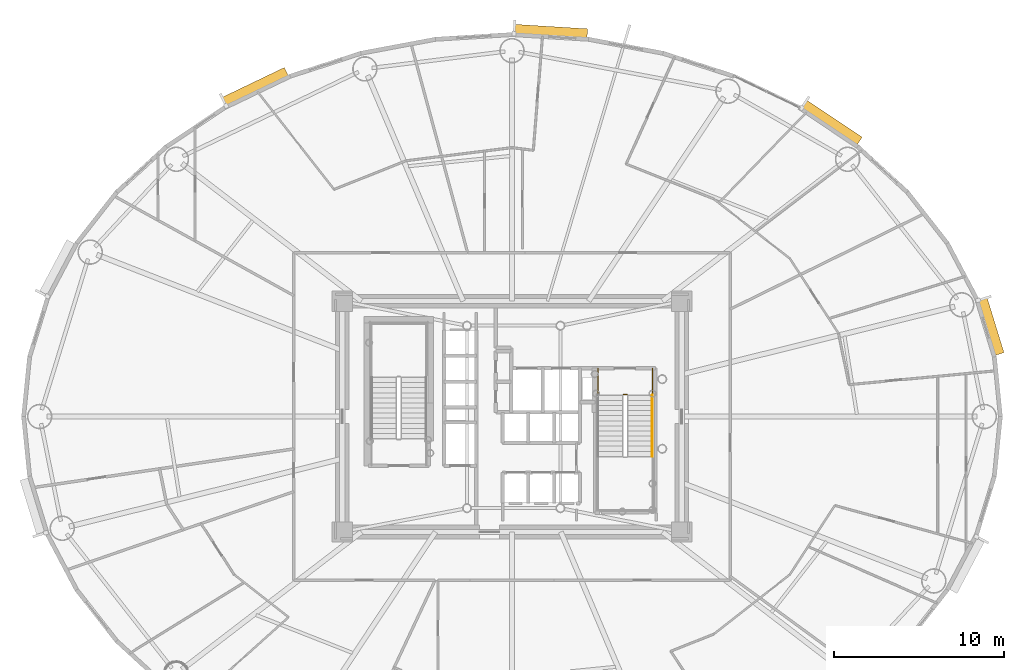
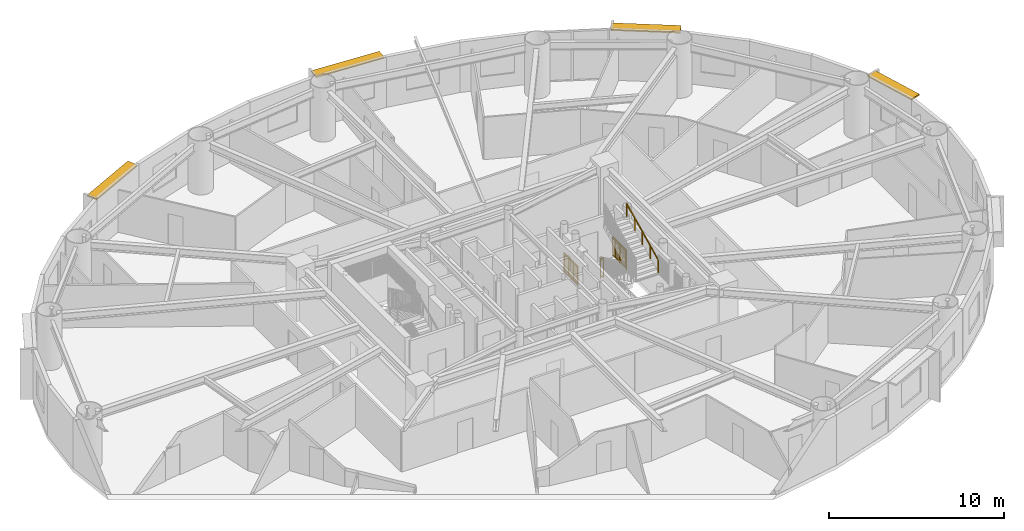
# One storey, part 16 of 16: 4 railings, 4 shading devices.
"""IFC4 building model written with IfcOpenShell, lengths in metres."""

from ifc_helpers import new_model, si_unit, direction, frame, origin, origin_2d, place, context, subcontext, project, spatial, rectangle, extrude, source, transform, mapped, material, layer, layer_set, type_object, element, save


model = new_model("IFC4")

# Units and contexts
model_context = context("Model", 3, precision=1e-05, world=origin(), true_north=direction((0.0, 1.0)))
body_context = subcontext(model_context, "Body", "Model", "MODEL_VIEW")
ifc_project = project(units=[si_unit("LENGTHUNIT", "METRE"), si_unit("AREAUNIT", "SQUARE_METRE"), si_unit("VOLUMEUNIT", "CUBIC_METRE"), si_unit("PLANEANGLEUNIT", "RADIAN"), si_unit("MASSUNIT", "GRAM", prefix="KILO")], contexts=[model_context])

# Site, building, storey
site_placement = place(None, origin())
site = spatial("IfcSite", under=ifc_project, at=site_placement, CompositionType="ELEMENT")
building_placement = place(site_placement, origin())
building = spatial("IfcBuilding", under=site, at=building_placement, Name="Linh Dai School and Residence Tower", CompositionType="ELEMENT")
storey_placement = place(building_placement, frame((0.0, 0.0, 138.449951171875)))
storey = spatial("IfcBuildingStorey", under=building, at=storey_placement, Name="L33", CompositionType="ELEMENT", Elevation=138.449951171875)

# Shading devices
ifc_material_1 = material(Name="Terracotta Ceramic Sunshade", Category="masonry")
ifc_layer = layer(ifc_material_1, 0.10009765625)
ifc_layer_set = layer_set([ifc_layer], Name="Terracotta Ceramic Sunshade")
shading_device_type = type_object("IfcShadingDeviceType", Name="SHD-TC-650", PredefinedType="USERDEFINED", material=ifc_layer_set)
shared_shape_1 = source(origin(), body_context, "Body", "SweptSolid", [
    extrude(rectangle(XDim=3.44384765625, YDim=0.64990234375, at=origin_2d()), origin(), (0.0, 0.0, 1.0), 0.10009765625),
])
shading_device_1_placement = place(storey_placement, frame((64.16845703125, 32.313720703125, 3.3798828125), z_axis=(0.0, 0.0, 1.0), x_axis=(0.293133528962, -0.956071511028, 0.0)))
element("IfcShadingDevice", 1, at=shading_device_1_placement, inside=storey, type_object=shading_device_type, Name="L33 Terracotta Horizontal Sunshade Band 02", ObjectType="SUNSHADE", PredefinedType="USERDEFINED", context=body_context, shape_type="MappedRepresentation", body=[
    mapped(shared_shape_1, transform((0.0, 0.0, 0.0), x_axis=(1.0, 0.0, 0.0), y_axis=(0.0, 1.0, 0.0), z_axis=(0.0, 0.0, 1.0), scale=1.0)),
])
shared_shape_2 = source(origin(), body_context, "Body", "SweptSolid", [
    extrude(rectangle(XDim=3.96484375, YDim=0.64990234375, at=origin_2d()), origin(), (0.0, 0.0, 1.0), 0.10009765625),
])
shading_device_2_placement = place(storey_placement, frame((54.80029296875, 44.288330078125, 3.3798828125), z_axis=(0.0, 0.0, 1.0), x_axis=(0.831240347736, -0.555913198527, 0.0)))
element("IfcShadingDevice", 2, at=shading_device_2_placement, inside=storey, type_object=shading_device_type, Name="L33 Terracotta Horizontal Sunshade Band 06", ObjectType="SUNSHADE", PredefinedType="USERDEFINED", context=body_context, shape_type="MappedRepresentation", body=[
    mapped(shared_shape_2, transform((0.0, 0.0, 0.0), x_axis=(1.0, 0.0, 0.0), y_axis=(0.0, 1.0, 0.0), z_axis=(0.0, 0.0, 1.0), scale=1.0)),
])
shared_shape_3 = source(origin(), body_context, "Body", "SweptSolid", [
    extrude(rectangle(XDim=4.33349609375, YDim=0.64990234375, at=origin_2d()), origin(), (0.0, 0.0, 1.0), 0.10009765625),
])
shading_device_3_placement = place(storey_placement, frame((38.270263671875, 49.650634765625, 3.3798828125), z_axis=(0.0, 0.0, 1.0), x_axis=(0.998106513123, -0.061509255091, 0.0)))
element("IfcShadingDevice", 3, at=shading_device_3_placement, inside=storey, type_object=shading_device_type, Name="L33 Terracotta Horizontal Sunshade Band 10", ObjectType="SUNSHADE", PredefinedType="USERDEFINED", context=body_context, shape_type="MappedRepresentation", body=[
    mapped(shared_shape_3, transform((0.0, 0.0, 0.0), x_axis=(1.0, 0.0, 0.0), y_axis=(0.0, 1.0, 0.0), z_axis=(0.0, 0.0, 1.0), scale=1.0)),
])
shared_shape_4 = source(origin(), body_context, "Body", "SweptSolid", [
    extrude(rectangle(XDim=4.1005859375, YDim=0.64990234375, at=origin_2d()), origin(), (0.0, 0.0, 1.0), 0.10009765625),
])
shading_device_4_placement = place(storey_placement, frame((20.877197265625, 46.38037109375, 3.3798828125), z_axis=(0.0, 0.0, 1.0), x_axis=(0.901577518371, 0.432617589064, 0.0)))
element("IfcShadingDevice", 4, at=shading_device_4_placement, inside=storey, type_object=shading_device_type, Name="L33 Terracotta Horizontal Sunshade Band 14", ObjectType="SUNSHADE", PredefinedType="USERDEFINED", context=body_context, shape_type="MappedRepresentation", body=[
    mapped(shared_shape_4, transform((0.0, 0.0, 0.0), x_axis=(1.0, 0.0, 0.0), y_axis=(0.0, 1.0, 0.0), z_axis=(0.0, 0.0, 1.0), scale=1.0)),
])

# Railings
ifc_material_2 = material(Name="Brushed Stainless Steel Handrail", Category="steel")
railing_type_1 = type_object("IfcRailingType", Name="RL-ST-HANDRAIL-900", PredefinedType="HANDRAIL", material=ifc_material_2)
shared_shape_5 = source(origin(), body_context, "Body", "SweptSolid", [
    extrude(rectangle(XDim=0.048095703125, YDim=0.048095703125, at=origin_2d()), frame((0.0, 0.0, 0.8759765625), z_axis=(0.0, 0.901262522062, 0.433273431364), x_axis=(-1.0, 0.0, 0.0)), (0.0, 0.0, 1.0), 3.994384765625),
    extrude(rectangle(XDim=0.0419921875, YDim=0.0419921875, at=origin_2d()), origin(), (0.0, 0.0, 1.0), 0.8759765625),
    extrude(rectangle(XDim=0.0419921875, YDim=0.0419921875, at=origin_2d()), frame((0.0, 0.89990234375, 0.4326171875)), (0.0, 0.0, 1.0), 0.8759765625),
    extrude(rectangle(XDim=0.0419921875, YDim=0.0419921875, at=origin_2d()), frame((0.0, 1.800048828125, 0.865234375)), (0.0, 0.0, 1.0), 0.8759765625),
    extrude(rectangle(XDim=0.0419921875, YDim=0.0419921875, at=origin_2d()), frame((0.0, 2.7001953125, 1.298095703125)), (0.0, 0.0, 1.0), 0.8759765625),
    extrude(rectangle(XDim=0.0419921875, YDim=0.0419921875, at=origin_2d()), frame((0.0, 3.60009765625, 1.730712890625)), (0.0, 0.0, 1.0), 0.8759765625),
])
railing_1_placement = place(storey_placement, frame((44.27001953125, 24.64990234375, 2.019287109375)))
element("IfcRailing", 5, at=railing_1_placement, inside=storey, type_object=railing_type_1, Name="L33 ST2 stair handrail 2", PredefinedType="HANDRAIL", context=body_context, shape_type="MappedRepresentation", body=[
    mapped(shared_shape_5, transform((0.0, 0.0, 0.0), x_axis=(1.0, 0.0, 0.0), y_axis=(0.0, 1.0, 0.0), z_axis=(0.0, 0.0, 1.0), scale=1.0)),
])
ifc_material_3 = material(Name="Structural Steel S355JR", Category="steel")
railing_type_2 = type_object("IfcRailingType", Name="RL-ST-GUARD-1400", PredefinedType="GUARDRAIL", material=ifc_material_3)
shared_shape_6 = source(origin(), body_context, "Body", "SweptSolid", [
    extrude(rectangle(XDim=0.048095703125, YDim=0.048095703125, at=origin_2d()), frame((0.0, 0.0, 1.3759765625), z_axis=(1.0, 0.0, 0.0), x_axis=(0.0, 1.0, 0.0)), (0.0, 0.0, 1.0), 0.199951171875),
    extrude(rectangle(XDim=0.048095703125, YDim=0.048095703125, at=origin_2d()), frame((0.0, 0.0, 0.10009765625), z_axis=(1.0, 0.0, 0.0), x_axis=(0.0, 1.0, 0.0)), (0.0, 0.0, 1.0), 0.199951171875),
    extrude(rectangle(XDim=0.030029296875, YDim=0.030029296875, at=origin_2d()), frame((0.0, 0.0, 1.239990234375), z_axis=(1.0, 0.0, 0.0), x_axis=(0.0, 1.0, 0.0)), (0.0, 0.0, 1.0), 0.199951171875),
    extrude(rectangle(XDim=0.0419921875, YDim=0.0419921875, at=origin_2d()), origin(), (0.0, 0.0, 1.0), 1.3759765625),
    extrude(rectangle(XDim=0.0419921875, YDim=0.0419921875, at=origin_2d()), frame((0.199951171875, 0.0, 0.0)), (0.0, 0.0, 1.0), 1.3759765625),
])
railing_2_placement = place(storey_placement, frame((42.570068359375, 28.300048828125, 0.0)))
element("IfcRailing", 6, at=railing_2_placement, inside=storey, type_object=railing_type_2, Name="L33 ST2 stair guard 7", PredefinedType="GUARDRAIL", context=body_context, shape_type="MappedRepresentation", body=[
    mapped(shared_shape_6, transform((0.0, 0.0, 0.0), x_axis=(1.0, 0.0, 0.0), y_axis=(0.0, 1.0, 0.0), z_axis=(0.0, 0.0, 1.0), scale=1.0)),
])
shared_shape_7 = source(origin(), body_context, "Body", "SweptSolid", [
    extrude(rectangle(XDim=0.048095703125, YDim=0.048095703125, at=origin_2d()), frame((0.0, 0.0, 1.3759765625), z_axis=(0.0, -1.0, 0.0), x_axis=(1.0, 0.0, 0.0)), (0.0, 0.0, 1.0), 1.60009765625),
    extrude(rectangle(XDim=0.048095703125, YDim=0.048095703125, at=origin_2d()), frame((0.0, 0.0, 0.10009765625), z_axis=(0.0, -1.0, 0.0), x_axis=(1.0, 0.0, 0.0)), (0.0, 0.0, 1.0), 1.60009765625),
    extrude(rectangle(XDim=0.030029296875, YDim=0.030029296875, at=origin_2d()), frame((0.0, 0.0, 1.239990234375), z_axis=(0.0, -1.0, 0.0), x_axis=(1.0, 0.0, 0.0)), (0.0, 0.0, 1.0), 1.60009765625),
    extrude(rectangle(XDim=0.02001953125, YDim=0.02001953125, at=origin_2d()), frame((0.0, -0.09423828125, 0.10009765625)), (0.0, 0.0, 1.0), 1.251708984375),
    extrude(rectangle(XDim=0.02001953125, YDim=0.02001953125, at=origin_2d()), frame((0.0, -0.188232421875, 0.10009765625)), (0.0, 0.0, 1.0), 1.251708984375),
    extrude(rectangle(XDim=0.02001953125, YDim=0.02001953125, at=origin_2d()), frame((0.0, -0.282470703125, 0.10009765625)), (0.0, 0.0, 1.0), 1.251708984375),
    extrude(rectangle(XDim=0.02001953125, YDim=0.02001953125, at=origin_2d()), frame((0.0, -0.37646484375, 0.10009765625)), (0.0, 0.0, 1.0), 1.251708984375),
    extrude(rectangle(XDim=0.02001953125, YDim=0.02001953125, at=origin_2d()), frame((0.0, -0.470703125, 0.10009765625)), (0.0, 0.0, 1.0), 1.251708984375),
    extrude(rectangle(XDim=0.02001953125, YDim=0.02001953125, at=origin_2d()), frame((0.0, -0.564697265625, 0.10009765625)), (0.0, 0.0, 1.0), 1.251708984375),
    extrude(rectangle(XDim=0.02001953125, YDim=0.02001953125, at=origin_2d()), frame((0.0, -0.658935546875, 0.10009765625)), (0.0, 0.0, 1.0), 1.251708984375),
    extrude(rectangle(XDim=0.02001953125, YDim=0.02001953125, at=origin_2d()), frame((0.0, -0.7529296875, 0.10009765625)), (0.0, 0.0, 1.0), 1.251708984375),
    extrude(rectangle(XDim=0.02001953125, YDim=0.02001953125, at=origin_2d()), frame((0.0, -0.84716796875, 0.10009765625)), (0.0, 0.0, 1.0), 1.251708984375),
    extrude(rectangle(XDim=0.02001953125, YDim=0.02001953125, at=origin_2d()), frame((0.0, -0.941162109375, 0.10009765625)), (0.0, 0.0, 1.0), 1.251708984375),
    extrude(rectangle(XDim=0.02001953125, YDim=0.02001953125, at=origin_2d()), frame((0.0, -1.035400390625, 0.10009765625)), (0.0, 0.0, 1.0), 1.251708984375),
    extrude(rectangle(XDim=0.02001953125, YDim=0.02001953125, at=origin_2d()), frame((0.0, -1.12939453125, 0.10009765625)), (0.0, 0.0, 1.0), 1.251708984375),
    extrude(rectangle(XDim=0.02001953125, YDim=0.02001953125, at=origin_2d()), frame((0.0, -1.2236328125, 0.10009765625)), (0.0, 0.0, 1.0), 1.251708984375),
    extrude(rectangle(XDim=0.02001953125, YDim=0.02001953125, at=origin_2d()), frame((0.0, -1.317626953125, 0.10009765625)), (0.0, 0.0, 1.0), 1.251708984375),
    extrude(rectangle(XDim=0.02001953125, YDim=0.02001953125, at=origin_2d()), frame((0.0, -1.411865234375, 0.10009765625)), (0.0, 0.0, 1.0), 1.251708984375),
    extrude(rectangle(XDim=0.02001953125, YDim=0.02001953125, at=origin_2d()), frame((0.0, -1.505859375, 0.10009765625)), (0.0, 0.0, 1.0), 1.251708984375),
    extrude(rectangle(XDim=0.0419921875, YDim=0.0419921875, at=origin_2d()), origin(), (0.0, 0.0, 1.0), 1.3759765625),
    extrude(rectangle(XDim=0.0419921875, YDim=0.0419921875, at=origin_2d()), frame((0.0, -0.800048828125, 0.0)), (0.0, 0.0, 1.0), 1.3759765625),
    extrude(rectangle(XDim=0.0419921875, YDim=0.0419921875, at=origin_2d()), frame((0.0, -1.60009765625, 0.0)), (0.0, 0.0, 1.0), 1.3759765625),
])
for number, where, name in (
    (7, (41.070068359375, 29.85009765625, 0.0), "L33 ST2 stair guard 8"),
    (8, (44.27001953125, 29.85009765625, 0.0), "L33 ST2 stair guard 9"),
):
    element("IfcRailing", number, at=place(storey_placement, frame(where)), inside=storey, type_object=railing_type_2, Name=name, PredefinedType="GUARDRAIL", context=body_context, shape_type="MappedRepresentation", body=[
        mapped(shared_shape_7, transform((0.0, 0.0, 0.0), x_axis=(1.0, 0.0, 0.0), y_axis=(0.0, 1.0, 0.0), z_axis=(0.0, 0.0, 1.0), scale=1.0)),
    ])

save(model, "model.ifc")
